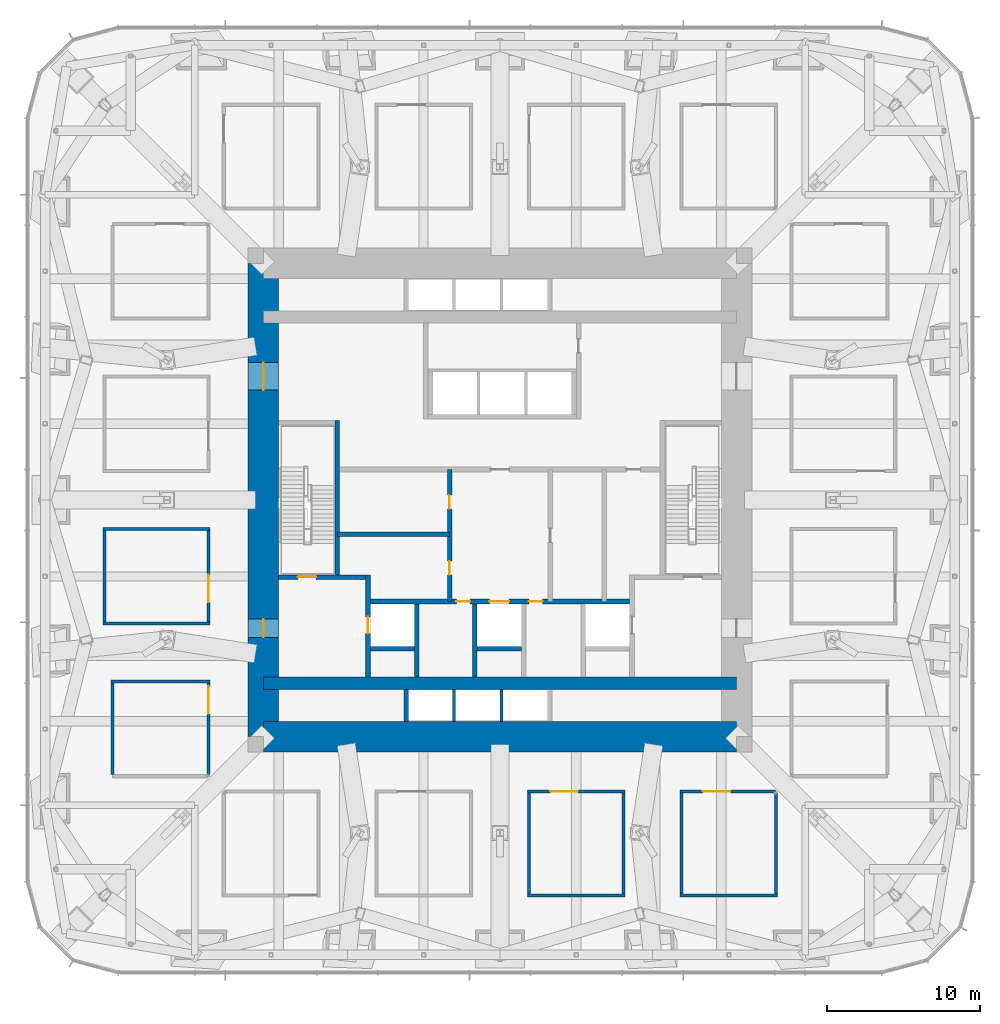
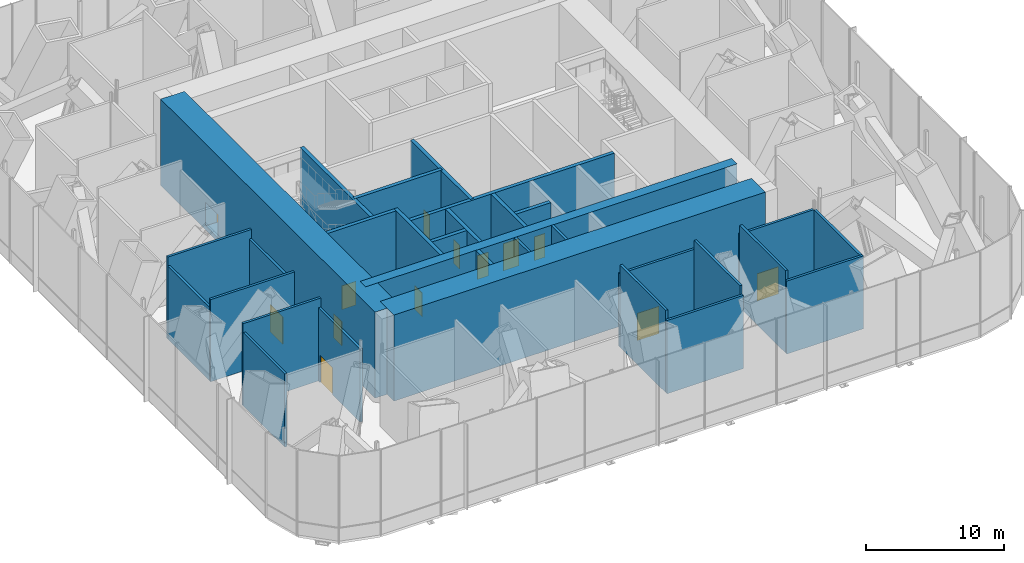
# One storey, part 13 of 20: 31 walls, 13 doors, 13 openings.
"""IFC4 building model written with IfcOpenShell, lengths in metres."""

from ifc_helpers import new_model, si_unit, direction, frame, frame_2d, origin, place, context, subcontext, project, spatial, rectangle, extrude, material, layer, layer_set, type_object, element, fill, save


model = new_model("IFC4")

# Units and contexts
model_context = context("Model", 3, precision=1e-05, world=origin(), true_north=direction((0.0, 1.0)))
body_context = subcontext(model_context, "Body", "Model", "MODEL_VIEW")
ifc_project = project(units=[si_unit("LENGTHUNIT", "METRE"), si_unit("AREAUNIT", "SQUARE_METRE"), si_unit("VOLUMEUNIT", "CUBIC_METRE"), si_unit("PLANEANGLEUNIT", "RADIAN"), si_unit("MASSUNIT", "GRAM", prefix="KILO")], contexts=[model_context])

# Site, building, storey
site_placement = place(None, origin())
site = spatial("IfcSite", under=ifc_project, at=site_placement, CompositionType="ELEMENT")
building_placement = place(site_placement, origin())
building = spatial("IfcBuilding", under=site, at=building_placement, Name="Khuree Lantern Residences", CompositionType="ELEMENT")
storey_placement = place(building_placement, frame((0.0, 0.0, 99.75)))
storey = spatial("IfcBuildingStorey", under=building, at=storey_placement, Name="L25", CompositionType="ELEMENT", Elevation=99.75)

# Wall, opening, door
ifc_material_1 = material(Name="Dense concrete blockwork", Category="masonry")
ifc_layer_1 = layer(ifc_material_1, 0.300048828125)
ifc_layer_set_1 = layer_set([ifc_layer_1], Name="CORE PARTITION WALL CPW300 EI 120")
wall_type_1 = type_object("IfcWallType", Name="CORE PARTITION WALL CPW300 EI 120", PredefinedType="PARTITIONING", material=ifc_layer_set_1)
wall_1_placement = place(storey_placement, frame((-8.64990234375, -11.60009765625, 0.0), z_axis=(0.0, 0.0, 1.0), x_axis=(0.0, 1.0, 0.0)))
wall_1 = element("IfcWall", 1, at=wall_1_placement, inside=storey, type_object=wall_type_1, Name="L25 CORE WALL FL1W", PredefinedType="PARTITIONING", context=body_context, shape_type="SweptSolid", body=[
    extrude(rectangle(XDim=6.7001953125, YDim=0.300048828125, at=frame_2d((3.35009765625, 0.0))), origin(), (0.0, 0.0, 1.0), 7.25),
])
opening_1_placement = place(wall_1_placement, frame((2.85009765625, 0.0, 0.0)))
opening_1 = element("IfcOpeningElement", 2, at=opening_1_placement, cuts=wall_1, Name="Opening 25-007", PredefinedType="OPENING", context=body_context, shape_type="SweptSolid", body=[
    extrude(rectangle(XDim=1.10009765625, YDim=2.10009765625, at=frame_2d((0.550048828125, 1.050048828125))), frame((0.0, 0.16015625, 0.0), z_axis=(0.0, -1.0, 0.0), x_axis=(1.0, 0.0, 0.0)), (0.0, 0.0, 1.0), 0.320068359375),
])
ifc_material_2 = material(Name="Stainless steel lift landing door", Category="steel")
door_type_1 = type_object("IfcDoorType", Name="LIFT LANDING DOOR 1100X2100 E 120", OperationType="DOUBLE_DOOR_SLIDING", PredefinedType="DOOR", material=ifc_material_2)
door_1_placement = place(opening_1_placement, origin())
door_1 = element("IfcDoor", 3, at=door_1_placement, inside=storey, type_object=door_type_1, Name="Landing door FL1 25-007", OperationType="DOUBLE_DOOR_SLIDING", OverallHeight=2.10009765625, OverallWidth=1.10009765625, PredefinedType="DOOR", context=body_context, shape_type="SweptSolid", body=[
    extrude(rectangle(XDim=1.10009765625, YDim=2.10009765625, at=frame_2d((0.550048828125, 1.050048828125))), frame((0.0, 0.02490234375, 0.0), z_axis=(0.0, -1.0, 0.0), x_axis=(1.0, 0.0, 0.0)), (0.0, 0.0, 1.0), 0.050048828125),
])
fill(opening_1, door_1)

# Wall, openings, doors
wall_2_placement = place(storey_placement, frame((-8.5, -6.64990234375, 0.0), z_axis=(0.0, 0.0, 1.0), x_axis=(1.0, 0.0, 0.0)))
wall_2 = element("IfcWall", 4, at=wall_2_placement, inside=storey, type_object=wall_type_1, Name="L25 CORE WALL FLROW", PredefinedType="PARTITIONING", context=body_context, shape_type="SweptSolid", body=[
    extrude(rectangle(XDim=17.0, YDim=0.300048828125, at=frame_2d((8.5, 0.0))), origin(), (0.0, 0.0, 1.0), 7.25),
])
opening_2_placement = place(wall_2_placement, frame((7.800048828125, 0.0, 0.0)))
opening_2 = element("IfcOpeningElement", 5, at=opening_2_placement, cuts=wall_2, Name="Opening 25-009", PredefinedType="OPENING", context=body_context, shape_type="SweptSolid", body=[
    extrude(rectangle(XDim=1.300048828125, YDim=2.39990234375, at=frame_2d((0.64990234375, 1.199951171875))), frame((0.0, 0.16015625, 0.0), z_axis=(0.0, -1.0, 0.0), x_axis=(1.0, 0.0, 0.0)), (0.0, 0.0, 1.0), 0.320068359375),
])
opening_3_placement = place(wall_2_placement, frame((5.64990234375, 0.0, 0.0)))
opening_3 = element("IfcOpeningElement", 6, at=opening_3_placement, cuts=wall_2, Name="Opening 25-011", PredefinedType="OPENING", context=body_context, shape_type="SweptSolid", body=[
    extrude(rectangle(XDim=0.89990234375, YDim=2.10009765625, at=frame_2d((0.449951171875, 1.050048828125))), frame((0.0, 0.16015625, 0.0), z_axis=(0.0, -1.0, 0.0), x_axis=(1.0, 0.0, 0.0)), (0.0, 0.0, 1.0), 0.320068359375),
])
opening_4_placement = place(wall_2_placement, frame((10.39990234375, 0.0, 0.0)))
opening_4 = element("IfcOpeningElement", 7, at=opening_4_placement, cuts=wall_2, Name="Opening 25-012", PredefinedType="OPENING", context=body_context, shape_type="SweptSolid", body=[
    extrude(rectangle(XDim=0.89990234375, YDim=2.10009765625, at=frame_2d((0.449951171875, 1.050048828125))), frame((0.0, 0.16015625, 0.0), z_axis=(0.0, -1.0, 0.0), x_axis=(1.0, 0.0, 0.0)), (0.0, 0.0, 1.0), 0.320068359375),
])
ifc_material_3 = material(Name="Steel door leaf in steel frame", Category="steel")
door_type_2 = type_object("IfcDoorType", Name="DOOR 900X2100 EI 60", OperationType="SINGLE_SWING_LEFT", PredefinedType="DOOR", material=ifc_material_3)
door_2_placement = place(opening_3_placement, origin())
door_2 = element("IfcDoor", 8, at=door_2_placement, inside=storey, type_object=door_type_2, Name="Electrical riser door 25-011", OperationType="SINGLE_SWING_LEFT", OverallHeight=2.10009765625, OverallWidth=0.89990234375, PredefinedType="DOOR", context=body_context, shape_type="SweptSolid", body=[
    extrude(rectangle(XDim=0.89990234375, YDim=2.10009765625, at=frame_2d((0.449951171875, 1.050048828125))), frame((0.0, 0.02490234375, 0.0), z_axis=(0.0, -1.0, 0.0), x_axis=(1.0, 0.0, 0.0)), (0.0, 0.0, 1.0), 0.050048828125),
])
fill(opening_3, door_2)
door_type_3 = type_object("IfcDoorType", Name="DOOR 900X2100 EI 60 RIGHT HAND", OperationType="SINGLE_SWING_RIGHT", PredefinedType="DOOR", material=ifc_material_3)
door_3_placement = place(opening_4_placement, origin())
door_3 = element("IfcDoor", 9, at=door_3_placement, inside=storey, type_object=door_type_3, Name="Plumbing riser door 25-012", OperationType="SINGLE_SWING_RIGHT", OverallHeight=2.10009765625, OverallWidth=0.89990234375, PredefinedType="DOOR", context=body_context, shape_type="SweptSolid", body=[
    extrude(rectangle(XDim=0.89990234375, YDim=2.10009765625, at=frame_2d((0.449951171875, 1.050048828125))), frame((0.0, 0.02490234375, 0.0), z_axis=(0.0, -1.0, 0.0), x_axis=(1.0, 0.0, 0.0)), (0.0, 0.0, 1.0), 0.050048828125),
])
fill(opening_4, door_3)
door_type_4 = type_object("IfcDoorType", Name="LIFT LANDING DOOR 1300X2400 E 60", OperationType="DOUBLE_DOOR_SLIDING", PredefinedType="DOOR", material=ifc_material_2)
door_4_placement = place(opening_2_placement, origin())
door_4 = element("IfcDoor", 10, at=door_4_placement, inside=storey, type_object=door_type_4, Name="Landing door SL1 25-009", OperationType="DOUBLE_DOOR_SLIDING", OverallHeight=2.39990234375, OverallWidth=1.300048828125, PredefinedType="DOOR", context=body_context, shape_type="SweptSolid", body=[
    extrude(rectangle(XDim=1.300048828125, YDim=2.39990234375, at=frame_2d((0.64990234375, 1.199951171875))), frame((0.0, 0.02490234375, 0.0), z_axis=(0.0, -1.0, 0.0), x_axis=(1.0, 0.0, 0.0)), (0.0, 0.0, 1.0), 0.050048828125),
])
fill(opening_2, door_4)

# Walls
for number, where, z_axis, x_axis, name in (
    (11, (-5.449951171875, -11.60009765625, 0.0), (0.0, 0.0, 1.0), (0.0, 1.0, 0.0), "L25 CORE WALL FL1E"),
    (12, (-1.64990234375, -11.60009765625, 0.0), (0.0, 0.0, 1.0), (0.0, 1.0, 0.0), "L25 CORE WALL SL1W"),
):
    element("IfcWall", number, at=place(storey_placement, frame(where, z_axis=z_axis, x_axis=x_axis)), inside=storey, type_object=wall_type_1, Name=name, PredefinedType="PARTITIONING", context=body_context, shape_type="SweptSolid", body=[
        extrude(rectangle(XDim=4.800048828125, YDim=0.300048828125, at=frame_2d((2.39990234375, 0.0))), origin(), (0.0, 0.0, 1.0), 7.25),
    ])
for number, where, z_axis, x_axis, name in (
    (13, (-8.5, -9.75, 0.0), (0.0, 0.0, 1.0), (1.0, 0.0, 0.0), "L25 CORE WALL FL1S"),
    (14, (-1.5, -9.75, 0.0), (0.0, 0.0, 1.0), (1.0, 0.0, 0.0), "L25 CORE WALL SL1S"),
):
    element("IfcWall", number, at=place(storey_placement, frame(where, z_axis=z_axis, x_axis=x_axis)), inside=storey, type_object=wall_type_1, Name=name, PredefinedType="PARTITIONING", context=body_context, shape_type="SweptSolid", body=[
        extrude(rectangle(XDim=2.89990234375, YDim=0.300048828125, at=frame_2d((1.449951171875, 0.0))), origin(), (0.0, 0.0, 1.0), 7.25),
    ])
wall_3_placement = place(storey_placement, frame((-6.14990234375, -14.5, 0.0), z_axis=(0.0, 0.0, 1.0), x_axis=(0.0, 1.0, 0.0)))
element("IfcWall", 15, at=wall_3_placement, inside=storey, type_object=wall_type_1, Name="L25 CORE WALL PMW", PredefinedType="PARTITIONING", context=body_context, shape_type="SweptSolid", body=[
    extrude(rectangle(XDim=2.10009765625, YDim=0.300048828125, at=frame_2d((1.050048828125, 0.0))), origin(), (0.0, 0.0, 1.0), 7.25),
])

# Wall, openings, doors
wall_4_placement = place(storey_placement, frame((-3.300048828125, -6.64990234375, 0.0), z_axis=(0.0, 0.0, 1.0), x_axis=(0.0, 1.0, 0.0)))
wall_4 = element("IfcWall", 16, at=wall_4_placement, inside=storey, type_object=wall_type_1, Name="L25 CORE WALL SVW", PredefinedType="PARTITIONING", context=body_context, shape_type="SweptSolid", body=[
    extrude(rectangle(XDim=8.64990234375, YDim=0.300048828125, at=frame_2d((4.324951171875, 0.0))), origin(), (0.0, 0.0, 1.0), 7.25),
])
opening_5_placement = place(wall_4_placement, frame((1.75, 0.0, 0.0)))
opening_5 = element("IfcOpeningElement", 17, at=opening_5_placement, cuts=wall_4, Name="Opening 25-013", PredefinedType="OPENING", context=body_context, shape_type="SweptSolid", body=[
    extrude(rectangle(XDim=0.89990234375, YDim=2.10009765625, at=frame_2d((0.449951171875, 1.050048828125))), frame((0.0, 0.16015625, 0.0), z_axis=(0.0, -1.0, 0.0), x_axis=(1.0, 0.0, 0.0)), (0.0, 0.0, 1.0), 0.320068359375),
])
opening_6_placement = place(wall_4_placement, frame((6.074951171875, 0.0, 0.0)))
opening_6 = element("IfcOpeningElement", 18, at=opening_6_placement, cuts=wall_4, Name="Opening 25-014", PredefinedType="OPENING", context=body_context, shape_type="SweptSolid", body=[
    extrude(rectangle(XDim=0.89990234375, YDim=2.10009765625, at=frame_2d((0.449951171875, 1.050048828125))), frame((0.0, 0.16015625, 0.0), z_axis=(0.0, -1.0, 0.0), x_axis=(1.0, 0.0, 0.0)), (0.0, 0.0, 1.0), 0.320068359375),
])
ifc_material_4 = material(Name="Timber door leaf in hardwood frame", Category="wood")
door_type_5 = type_object("IfcDoorType", Name="DOOR 900X2100", OperationType="SINGLE_SWING_LEFT", PredefinedType="DOOR", material=ifc_material_4)
door_5_placement = place(opening_5_placement, origin())
door_5 = element("IfcDoor", 19, at=door_5_placement, inside=storey, type_object=door_type_5, Name="Store door 25-013", OperationType="SINGLE_SWING_LEFT", OverallHeight=2.10009765625, OverallWidth=0.89990234375, PredefinedType="DOOR", context=body_context, shape_type="SweptSolid", body=[
    extrude(rectangle(XDim=0.89990234375, YDim=2.10009765625, at=frame_2d((0.449951171875, 1.050048828125))), frame((0.0, 0.02490234375, 0.0), z_axis=(0.0, -1.0, 0.0), x_axis=(1.0, 0.0, 0.0)), (0.0, 0.0, 1.0), 0.050048828125),
])
fill(opening_5, door_5)
door_6_placement = place(opening_6_placement, origin())
door_6 = element("IfcDoor", 20, at=door_6_placement, inside=storey, type_object=door_type_5, Name="Store door 25-014", OperationType="SINGLE_SWING_LEFT", OverallHeight=2.10009765625, OverallWidth=0.89990234375, PredefinedType="DOOR", context=body_context, shape_type="SweptSolid", body=[
    extrude(rectangle(XDim=0.89990234375, YDim=2.10009765625, at=frame_2d((0.449951171875, 1.050048828125))), frame((0.0, 0.02490234375, 0.0), z_axis=(0.0, -1.0, 0.0), x_axis=(1.0, 0.0, 0.0)), (0.0, 0.0, 1.0), 0.050048828125),
])
fill(opening_6, door_6)

# Walls
wall_5_placement = place(storey_placement, frame((-10.64990234375, -2.25, 0.0), z_axis=(0.0, 0.0, 1.0), x_axis=(1.0, 0.0, 0.0)))
element("IfcWall", 21, at=wall_5_placement, inside=storey, type_object=wall_type_1, Name="L25 CORE WALL WX", PredefinedType="PARTITIONING", context=body_context, shape_type="SweptSolid", body=[
    extrude(rectangle(XDim=7.349853515625, YDim=0.300048828125, at=frame_2d((3.6748046875, 0.0))), origin(), (0.0, 0.0, 1.0), 7.25),
])
ifc_material_5 = material(Name="Concrete C70/85", Category="concrete")
ifc_layer_2 = layer(ifc_material_5, 2.0)
ifc_layer_set_2 = layer_set([ifc_layer_2], Name="CW2000-C70 CORE WALL C70 2000")
wall_type_2 = type_object("IfcWallType", Name="CW2000-C70 CORE WALL C70 2000", PredefinedType="SHEAR", material=ifc_layer_set_2)
wall_6_placement = place(storey_placement, frame((-15.5, -15.5, -0.35009765625), z_axis=(0.0, 0.0, 1.0), x_axis=(1.0, 0.0, 0.0)))
element("IfcWall", 22, at=wall_6_placement, inside=storey, type_object=wall_type_2, Name="Core wall S", PredefinedType="SHEAR", context=body_context, shape_type="SweptSolid", body=[
    extrude(rectangle(XDim=31.0, YDim=2.0, at=frame_2d((15.5, 0.0))), origin(), (0.0, 0.0, 1.0), 7.60009765625),
])

# Wall, openings, doors
wall_7_placement = place(storey_placement, frame((-15.5, -15.5, -0.35009765625), z_axis=(0.0, 0.0, 1.0), x_axis=(0.0, 1.0, 0.0)))
wall_7 = element("IfcWall", 23, at=wall_7_placement, inside=storey, type_object=wall_type_2, Name="Core wall W", PredefinedType="SHEAR", context=body_context, shape_type="SweptSolid", body=[
    extrude(rectangle(XDim=31.0, YDim=2.0, at=frame_2d((15.5, 0.0))), origin(), (0.0, 0.0, 1.0), 7.60009765625),
])
opening_7_placement = place(wall_7_placement, frame((6.5, 0.0, 0.35009765625)))
opening_7 = element("IfcOpeningElement", 24, at=opening_7_placement, cuts=wall_7, Name="Opening 25-002", PredefinedType="OPENING", context=body_context, shape_type="SweptSolid", body=[
    extrude(rectangle(XDim=1.199951171875, YDim=2.10009765625, at=frame_2d((0.60009765625, 1.050048828125))), frame((0.0, 1.010009765625, 0.0), z_axis=(0.0, -1.0, 0.0), x_axis=(1.0, 0.0, 0.0)), (0.0, 0.0, 1.0), 2.02001953125),
])
opening_8_placement = place(wall_7_placement, frame((22.699951171875, 0.0, 0.35009765625)))
opening_8 = element("IfcOpeningElement", 25, at=opening_8_placement, cuts=wall_7, Name="Opening 25-003", PredefinedType="OPENING", context=body_context, shape_type="SweptSolid", body=[
    extrude(rectangle(XDim=1.800048828125, YDim=2.10009765625, at=frame_2d((0.89990234375, 1.050048828125))), frame((0.0, 1.010009765625, 0.0), z_axis=(0.0, -1.0, 0.0), x_axis=(1.0, 0.0, 0.0)), (0.0, 0.0, 1.0), 2.02001953125),
])
door_type_6 = type_object("IfcDoorType", Name="LOBBY DOOR 1200X2100 EI 120", OperationType="SINGLE_SWING_LEFT", PredefinedType="DOOR", material=ifc_material_3)
door_7_placement = place(opening_7_placement, origin())
door_7 = element("IfcDoor", 26, at=door_7_placement, inside=storey, type_object=door_type_6, Name="Firefighting lobby door 25-002", OperationType="SINGLE_SWING_LEFT", OverallHeight=2.10009765625, OverallWidth=1.199951171875, PredefinedType="DOOR", context=body_context, shape_type="SweptSolid", body=[
    extrude(rectangle(XDim=1.199951171875, YDim=2.10009765625, at=frame_2d((0.60009765625, 1.050048828125))), frame((0.0, 0.02490234375, 0.0), z_axis=(0.0, -1.0, 0.0), x_axis=(1.0, 0.0, 0.0)), (0.0, 0.0, 1.0), 0.050048828125),
])
fill(opening_7, door_7)
door_type_7 = type_object("IfcDoorType", Name="LOBBY DOUBLE DOOR 1800X2100 EI 60", OperationType="DOUBLE_DOOR_SINGLE_SWING", PredefinedType="DOOR", material=ifc_material_3)
door_8_placement = place(opening_8_placement, origin())
door_8 = element("IfcDoor", 27, at=door_8_placement, inside=storey, type_object=door_type_7, Name="Lift lobby door 25-003", OperationType="DOUBLE_DOOR_SINGLE_SWING", OverallHeight=2.10009765625, OverallWidth=1.800048828125, PredefinedType="DOOR", context=body_context, shape_type="SweptSolid", body=[
    extrude(rectangle(XDim=1.800048828125, YDim=2.10009765625, at=frame_2d((0.89990234375, 1.050048828125))), frame((0.0, 0.02490234375, 0.0), z_axis=(0.0, -1.0, 0.0), x_axis=(1.0, 0.0, 0.0)), (0.0, 0.0, 1.0), 0.050048828125),
])
fill(opening_8, door_8)

# Walls
ifc_layer_3 = layer(ifc_material_1, 0.199951171875)
ifc_layer_set_3 = layer_set([ifc_layer_3], Name="FIRE-RATED ROOM WALL FRW200 EI 120")
wall_type_3 = type_object("IfcWallType", Name="FIRE-RATED ROOM WALL FRW200 EI 120", PredefinedType="SOLIDWALL", material=ifc_layer_set_3)
wall_8_placement = place(storey_placement, frame((1.800048828125, -25.89990234375, 0.0), z_axis=(0.0, 0.0, 1.0), x_axis=(1.0, 0.0, 0.0)))
element("IfcWall", 28, at=wall_8_placement, inside=storey, type_object=wall_type_3, Name="L25 ROOM WALL 3", PredefinedType="SOLIDWALL", context=body_context, shape_type="SweptSolid", body=[
    extrude(rectangle(XDim=6.39990234375, YDim=0.199951171875, at=frame_2d((3.199951171875, 0.0))), origin(), (0.0, 0.0, 1.0), 6.4599609375),
])
wall_9_placement = place(storey_placement, frame((11.800048828125, -25.89990234375, 0.0), z_axis=(0.0, 0.0, 1.0), x_axis=(1.0, 0.0, 0.0)))
element("IfcWall", 29, at=wall_9_placement, inside=storey, type_object=wall_type_3, Name="L25 ROOM WALL 4", PredefinedType="SOLIDWALL", context=body_context, shape_type="SweptSolid", body=[
    extrude(rectangle(XDim=6.39990234375, YDim=0.199951171875, at=frame_2d((3.199951171875, 0.0))), origin(), (0.0, 0.0, 1.0), 6.449951171875),
])
for number, where, z_axis, x_axis, name in (
    (30, (1.89990234375, -25.800048828125, 0.0), (0.0, 0.0, 1.0), (0.0, 1.0, 0.0), "L25 ROOM WALL 9"),
    (31, (8.10009765625, -25.800048828125, 0.0), (0.0, 0.0, 1.0), (0.0, 1.0, 0.0), "L25 ROOM WALL 10"),
    (32, (11.89990234375, -25.800048828125, 0.0), (0.0, 0.0, 1.0), (0.0, 1.0, 0.0), "L25 ROOM WALL 11"),
):
    element("IfcWall", number, at=place(storey_placement, frame(where, z_axis=z_axis, x_axis=x_axis)), inside=storey, type_object=wall_type_3, Name=name, PredefinedType="SOLIDWALL", context=body_context, shape_type="SweptSolid", body=[
        extrude(rectangle(XDim=6.60009765625, YDim=0.199951171875, at=frame_2d((3.300048828125, 0.0))), origin(), (0.0, 0.0, 1.0), 7.25),
    ])
wall_10_placement = place(storey_placement, frame((18.10009765625, -25.800048828125, 0.0), z_axis=(0.0, 0.0, 1.0), x_axis=(0.0, 1.0, 0.0)))
element("IfcWall", 33, at=wall_10_placement, inside=storey, type_object=wall_type_3, Name="L25 ROOM WALL 12", PredefinedType="SOLIDWALL", context=body_context, shape_type="SweptSolid", body=[
    extrude(rectangle(XDim=6.60009765625, YDim=0.199951171875, at=frame_2d((3.300048828125, 0.0))), origin(), (0.0, 0.0, 1.0), 6.449951171875),
])

# Wall, opening, door
wall_11_placement = place(storey_placement, frame((1.800048828125, -19.10009765625, 0.0), z_axis=(0.0, 0.0, 1.0), x_axis=(1.0, 0.0, 0.0)))
wall_11 = element("IfcWall", 34, at=wall_11_placement, inside=storey, type_object=wall_type_3, Name="L25 ROOM WALL 18", PredefinedType="SOLIDWALL", context=body_context, shape_type="SweptSolid", body=[
    extrude(rectangle(XDim=6.39990234375, YDim=0.199951171875, at=frame_2d((3.199951171875, 0.0))), origin(), (0.0, 0.0, 1.0), 6.4599609375),
])
opening_9_placement = place(wall_11_placement, frame((1.5, 0.0, 0.0)))
opening_9 = element("IfcOpeningElement", 35, at=opening_9_placement, cuts=wall_11, Name="Opening 25-031", PredefinedType="OPENING", context=body_context, shape_type="SweptSolid", body=[
    extrude(rectangle(XDim=1.800048828125, YDim=2.39990234375, at=frame_2d((0.89990234375, 1.199951171875))), frame((0.0, 0.10986328125, 0.0), z_axis=(0.0, -1.0, 0.0), x_axis=(1.0, 0.0, 0.0)), (0.0, 0.0, 1.0), 0.219970703125),
])
door_type_8 = type_object("IfcDoorType", Name="PLANT ROOM DOOR 1800X2400 EI 60", OperationType="DOUBLE_DOOR_SINGLE_SWING", PredefinedType="DOOR", material=ifc_material_3)
door_9_placement = place(opening_9_placement, origin())
door_9 = element("IfcDoor", 36, at=door_9_placement, inside=storey, type_object=door_type_8, Name="Heat exchanger plant room door 25-031", OperationType="DOUBLE_DOOR_SINGLE_SWING", OverallHeight=2.39990234375, OverallWidth=1.800048828125, PredefinedType="DOOR", context=body_context, shape_type="SweptSolid", body=[
    extrude(rectangle(XDim=1.800048828125, YDim=2.39990234375, at=frame_2d((0.89990234375, 1.199951171875))), frame((0.0, 0.02490234375, 0.0), z_axis=(0.0, -1.0, 0.0), x_axis=(1.0, 0.0, 0.0)), (0.0, 0.0, 1.0), 0.050048828125),
])
fill(opening_9, door_9)

wall_12_placement = place(storey_placement, frame((11.800048828125, -19.10009765625, 0.0), z_axis=(0.0, 0.0, 1.0), x_axis=(1.0, 0.0, 0.0)))
wall_12 = element("IfcWall", 37, at=wall_12_placement, inside=storey, type_object=wall_type_3, Name="L25 ROOM WALL 19", PredefinedType="SOLIDWALL", context=body_context, shape_type="SweptSolid", body=[
    extrude(rectangle(XDim=6.2392578125, YDim=0.199951171875, at=frame_2d((3.11962890625, 0.0))), origin(), (0.0, 0.0, 1.0), 6.4599609375),
])
opening_10_placement = place(wall_12_placement, frame((1.5, 0.0, 0.0)))
opening_10 = element("IfcOpeningElement", 38, at=opening_10_placement, cuts=wall_12, Name="Opening 25-033", PredefinedType="OPENING", context=body_context, shape_type="SweptSolid", body=[
    extrude(rectangle(XDim=1.800048828125, YDim=2.39990234375, at=frame_2d((0.89990234375, 1.199951171875))), frame((0.0, 0.10986328125, 0.0), z_axis=(0.0, -1.0, 0.0), x_axis=(1.0, 0.0, 0.0)), (0.0, 0.0, 1.0), 0.219970703125),
])
door_10_placement = place(opening_10_placement, origin())
door_10 = element("IfcDoor", 39, at=door_10_placement, inside=storey, type_object=door_type_8, Name="Plant maintenance workshop door 25-033", OperationType="DOUBLE_DOOR_SINGLE_SWING", OverallHeight=2.39990234375, OverallWidth=1.800048828125, PredefinedType="DOOR", context=body_context, shape_type="SweptSolid", body=[
    extrude(rectangle(XDim=1.800048828125, YDim=2.39990234375, at=frame_2d((0.89990234375, 1.199951171875))), frame((0.0, 0.02490234375, 0.0), z_axis=(0.0, -1.0, 0.0), x_axis=(1.0, 0.0, 0.0)), (0.0, 0.0, 1.0), 0.050048828125),
])
fill(opening_10, door_10)

# Wall
wall_13_placement = place(storey_placement, frame((-25.3798828125, -18.0, 0.0), z_axis=(0.0, 0.0, 1.0), x_axis=(0.0, 1.0, 0.0)))
element("IfcWall", 40, at=wall_13_placement, inside=storey, type_object=wall_type_3, Name="L25 ROOM WALL 25", PredefinedType="SOLIDWALL", context=body_context, shape_type="SweptSolid", body=[
    extrude(rectangle(XDim=6.0, YDim=0.199951171875, at=frame_2d((3.0, 0.0))), origin(), (0.0, 0.0, 1.0), 6.4599609375),
])

# Wall, opening, door
wall_14_placement = place(storey_placement, frame((-19.10009765625, -18.0, 0.0), z_axis=(0.0, 0.0, 1.0), x_axis=(0.0, 1.0, 0.0)))
wall_14 = element("IfcWall", 41, at=wall_14_placement, inside=storey, type_object=wall_type_3, Name="L25 ROOM WALL 27", PredefinedType="SOLIDWALL", context=body_context, shape_type="SweptSolid", body=[
    extrude(rectangle(XDim=6.0, YDim=0.199951171875, at=frame_2d((3.0, 0.0))), origin(), (0.0, 0.0, 1.0), 6.4599609375),
])
opening_11_placement = place(wall_14_placement, frame((3.991943359375, 0.0, 0.0)))
opening_11 = element("IfcOpeningElement", 42, at=opening_11_placement, cuts=wall_14, Name="Opening 25-029", PredefinedType="OPENING", context=body_context, shape_type="SweptSolid", body=[
    extrude(rectangle(XDim=1.800048828125, YDim=2.39990234375, at=frame_2d((0.89990234375, 1.199951171875))), frame((0.0, 0.10986328125, 0.0), z_axis=(0.0, -1.0, 0.0), x_axis=(1.0, 0.0, 0.0)), (0.0, 0.0, 1.0), 0.219970703125),
])
door_11_placement = place(opening_11_placement, origin())
door_11 = element("IfcDoor", 43, at=door_11_placement, inside=storey, type_object=door_type_8, Name="Electrical switch room door 25-029", OperationType="DOUBLE_DOOR_SINGLE_SWING", OverallHeight=2.39990234375, OverallWidth=1.800048828125, PredefinedType="DOOR", context=body_context, shape_type="SweptSolid", body=[
    extrude(rectangle(XDim=1.800048828125, YDim=2.39990234375, at=frame_2d((0.89990234375, 1.199951171875))), frame((0.0, 0.02490234375, 0.0), z_axis=(0.0, -1.0, 0.0), x_axis=(1.0, 0.0, 0.0)), (0.0, 0.0, 1.0), 0.050048828125),
])
fill(opening_11, door_11)

# Walls
wall_15_placement = place(storey_placement, frame((-25.47998046875, -11.89990234375, 0.0), z_axis=(0.0, 0.0, 1.0), x_axis=(1.0, 0.0, 0.0)))
element("IfcWall", 44, at=wall_15_placement, inside=storey, type_object=wall_type_3, Name="L25 ROOM WALL 31", PredefinedType="SOLIDWALL", context=body_context, shape_type="SweptSolid", body=[
    extrude(rectangle(XDim=6.47998046875, YDim=0.199951171875, at=frame_2d((3.239990234375, 0.0))), origin(), (0.0, 0.0, 1.0), 7.25),
])
wall_16_placement = place(storey_placement, frame((-26.0, -8.10009765625, 0.0), z_axis=(0.0, 0.0, 1.0), x_axis=(1.0, 0.0, 0.0)))
element("IfcWall", 45, at=wall_16_placement, inside=storey, type_object=wall_type_3, Name="L25 ROOM WALL 33", PredefinedType="SOLIDWALL", context=body_context, shape_type="SweptSolid", body=[
    extrude(rectangle(XDim=7.0, YDim=0.199951171875, at=frame_2d((3.5, 0.0))), origin(), (0.0, 0.0, 1.0), 7.25),
])
wall_17_placement = place(storey_placement, frame((-25.89990234375, -8.0, 0.0), z_axis=(0.0, 0.0, 1.0), x_axis=(0.0, 1.0, 0.0)))
element("IfcWall", 46, at=wall_17_placement, inside=storey, type_object=wall_type_3, Name="L25 ROOM WALL 35", PredefinedType="SOLIDWALL", context=body_context, shape_type="SweptSolid", body=[
    extrude(rectangle(XDim=6.0, YDim=0.199951171875, at=frame_2d((3.0, 0.0))), origin(), (0.0, 0.0, 1.0), 6.4599609375),
])

# Wall, opening, door
wall_18_placement = place(storey_placement, frame((-19.10009765625, -8.0, 0.0), z_axis=(0.0, 0.0, 1.0), x_axis=(0.0, 1.0, 0.0)))
wall_18 = element("IfcWall", 47, at=wall_18_placement, inside=storey, type_object=wall_type_3, Name="L25 ROOM WALL 36", PredefinedType="SOLIDWALL", context=body_context, shape_type="SweptSolid", body=[
    extrude(rectangle(XDim=6.0, YDim=0.199951171875, at=frame_2d((3.0, 0.0))), origin(), (0.0, 0.0, 1.0), 6.4599609375),
])
opening_12_placement = place(wall_18_placement, frame((1.300048828125, 0.0, 0.0)))
opening_12 = element("IfcOpeningElement", 48, at=opening_12_placement, cuts=wall_18, Name="Opening 25-027", PredefinedType="OPENING", context=body_context, shape_type="SweptSolid", body=[
    extrude(rectangle(XDim=1.800048828125, YDim=2.39990234375, at=frame_2d((0.89990234375, 1.199951171875))), frame((0.0, 0.10986328125, 0.0), z_axis=(0.0, -1.0, 0.0), x_axis=(1.0, 0.0, 0.0)), (0.0, 0.0, 1.0), 0.219970703125),
])
door_12_placement = place(opening_12_placement, origin())
door_12 = element("IfcDoor", 49, at=door_12_placement, inside=storey, type_object=door_type_8, Name="Sprinkler valve plant room door 25-027", OperationType="DOUBLE_DOOR_SINGLE_SWING", OverallHeight=2.39990234375, OverallWidth=1.800048828125, PredefinedType="DOOR", context=body_context, shape_type="SweptSolid", body=[
    extrude(rectangle(XDim=1.800048828125, YDim=2.39990234375, at=frame_2d((0.89990234375, 1.199951171875))), frame((0.0, 0.02490234375, 0.0), z_axis=(0.0, -1.0, 0.0), x_axis=(1.0, 0.0, 0.0)), (0.0, 0.0, 1.0), 0.050048828125),
])
fill(opening_12, door_12)

# Walls
wall_19_placement = place(storey_placement, frame((-26.0, -1.89990234375, 0.0), z_axis=(0.0, 0.0, 1.0), x_axis=(1.0, 0.0, 0.0)))
element("IfcWall", 50, at=wall_19_placement, inside=storey, type_object=wall_type_3, Name="L25 ROOM WALL 39", PredefinedType="SOLIDWALL", context=body_context, shape_type="SweptSolid", body=[
    extrude(rectangle(XDim=7.0, YDim=0.199951171875, at=frame_2d((3.5, 0.0))), origin(), (0.0, 0.0, 1.0), 7.25),
])
ifc_layer_4 = layer(ifc_material_1, 0.199951171875)
ifc_layer_set_4 = layer_set([ifc_layer_4], Name="SHAFT WALL SHW200 EI 120")
wall_type_4 = type_object("IfcWallType", Name="SHAFT WALL SHW200 EI 120", PredefinedType="PARTITIONING", material=ifc_layer_set_4)
for number, where, z_axis, x_axis, name in (
    (51, (-3.0, -14.5, 0.0), (0.0, 0.0, 1.0), (0.0, 1.0, 0.0), "L25 CORE WALL PMD1"),
    (52, (0.10009765625, -14.5, 0.0), (0.0, 0.0, 1.0), (0.0, 1.0, 0.0), "L25 CORE WALL PMD2"),
):
    element("IfcWall", number, at=place(storey_placement, frame(where, z_axis=z_axis, x_axis=x_axis)), inside=storey, type_object=wall_type_4, Name=name, PredefinedType="PARTITIONING", context=body_context, shape_type="SweptSolid", body=[
        extrude(rectangle(XDim=2.10009765625, YDim=0.199951171875, at=frame_2d((1.050048828125, 0.0))), origin(), (0.0, 0.0, 1.0), 7.25),
    ])
ifc_layer_5 = layer(ifc_material_5, 0.800048828125)
ifc_layer_set_5 = layer_set([ifc_layer_5], Name="SP800-C70 CORE SPINE WALL C70 800")
wall_type_5 = type_object("IfcWallType", Name="SP800-C70 CORE SPINE WALL C70 800", PredefinedType="SHEAR", material=ifc_layer_set_5)
wall_20_placement = place(storey_placement, frame((-15.5, -12.0, -0.35009765625), z_axis=(0.0, 0.0, 1.0), x_axis=(1.0, 0.0, 0.0)))
element("IfcWall", 53, at=wall_20_placement, inside=storey, type_object=wall_type_5, Name="Core wall SPS", PredefinedType="SHEAR", context=body_context, shape_type="SweptSolid", body=[
    extrude(rectangle(XDim=31.0, YDim=0.800048828125, at=frame_2d((15.5, 0.0))), origin(), (0.0, 0.0, 1.0), 7.60009765625),
])
ifc_material_6 = material(Name="Concrete C50/60", Category="concrete")
ifc_layer_6 = layer(ifc_material_6, 0.300048828125)
ifc_layer_set_6 = layer_set([ifc_layer_6], Name="STAIR WALL SRW300 C50/60 REI 240")
wall_type_6 = type_object("IfcWallType", Name="STAIR WALL SRW300 C50/60 REI 240", PredefinedType="SOLIDWALL", material=ifc_layer_set_6)
wall_21_placement = place(storey_placement, frame((-10.64990234375, -4.89990234375, 0.0), z_axis=(0.0, 0.0, 1.0), x_axis=(0.0, 1.0, 0.0)))
element("IfcWall", 54, at=wall_21_placement, inside=storey, type_object=wall_type_6, Name="L25 STAIR WALL ST1E", PredefinedType="SOLIDWALL", context=body_context, shape_type="SweptSolid", body=[
    extrude(rectangle(XDim=10.099853515625, YDim=0.300048828125, at=frame_2d((5.0498046875, 0.0))), origin(), (0.0, 0.0, 1.0), 7.25),
])

# Wall, opening, door
wall_22_placement = place(storey_placement, frame((-14.5, -5.050048828125, 0.0), z_axis=(0.0, 0.0, 1.0), x_axis=(1.0, 0.0, 0.0)))
wall_22 = element("IfcWall", 55, at=wall_22_placement, inside=storey, type_object=wall_type_6, Name="L25 STAIR WALL ST1S", PredefinedType="SOLIDWALL", context=body_context, shape_type="SweptSolid", body=[
    extrude(rectangle(XDim=5.699951171875, YDim=0.300048828125, at=frame_2d((2.85009765625, 0.0))), origin(), (0.0, 0.0, 1.0), 7.25),
])
opening_13_placement = place(wall_22_placement, frame((1.25, 0.0, 0.0)))
opening_13 = element("IfcOpeningElement", 56, at=opening_13_placement, cuts=wall_22, Name="Opening 25-001", PredefinedType="OPENING", context=body_context, shape_type="SweptSolid", body=[
    extrude(rectangle(XDim=1.199951171875, YDim=2.10009765625, at=frame_2d((0.60009765625, 1.050048828125))), frame((0.0, 0.16015625, 0.0), z_axis=(0.0, -1.0, 0.0), x_axis=(1.0, 0.0, 0.0)), (0.0, 0.0, 1.0), 0.320068359375),
])
door_type_9 = type_object("IfcDoorType", Name="STAIR DOOR 1200X2100 EI 120", OperationType="SINGLE_SWING_LEFT", PredefinedType="DOOR", material=ifc_material_3)
door_13_placement = place(opening_13_placement, origin())
door_13 = element("IfcDoor", 57, at=door_13_placement, inside=storey, type_object=door_type_9, Name="Stair ST1 door 25-001", OperationType="SINGLE_SWING_LEFT", OverallHeight=2.10009765625, OverallWidth=1.199951171875, PredefinedType="DOOR", context=body_context, shape_type="SweptSolid", body=[
    extrude(rectangle(XDim=1.199951171875, YDim=2.10009765625, at=frame_2d((0.60009765625, 1.050048828125))), frame((0.0, 0.02490234375, 0.0), z_axis=(0.0, -1.0, 0.0), x_axis=(1.0, 0.0, 0.0)), (0.0, 0.0, 1.0), 0.050048828125),
])
fill(opening_13, door_13)

save(model, "model.ifc")
